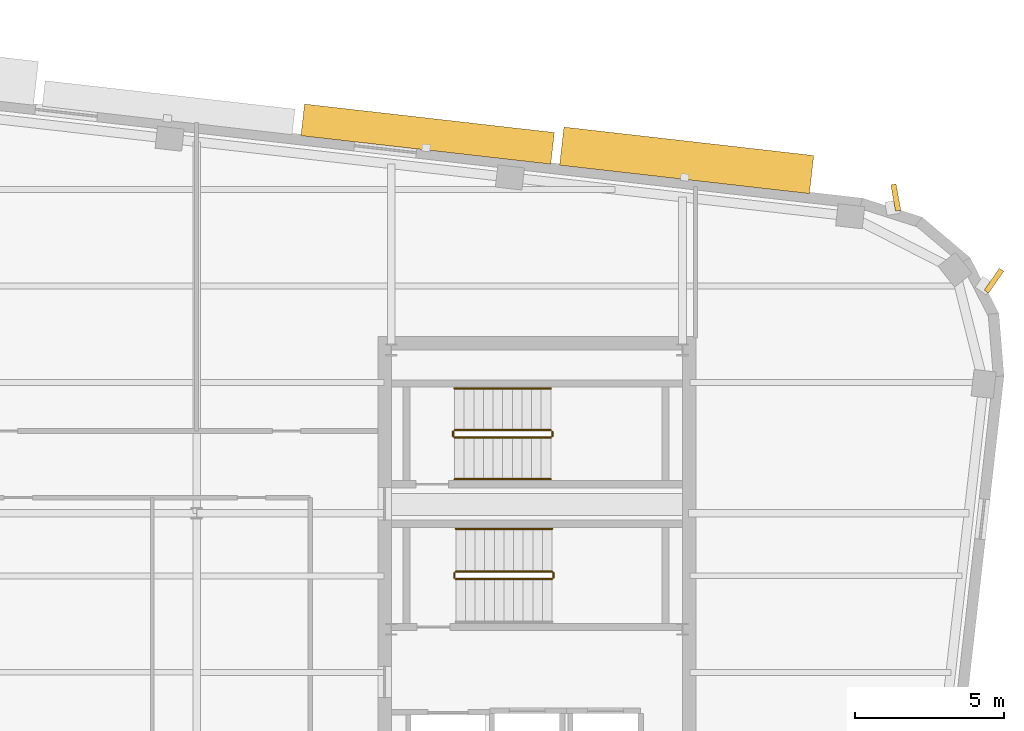
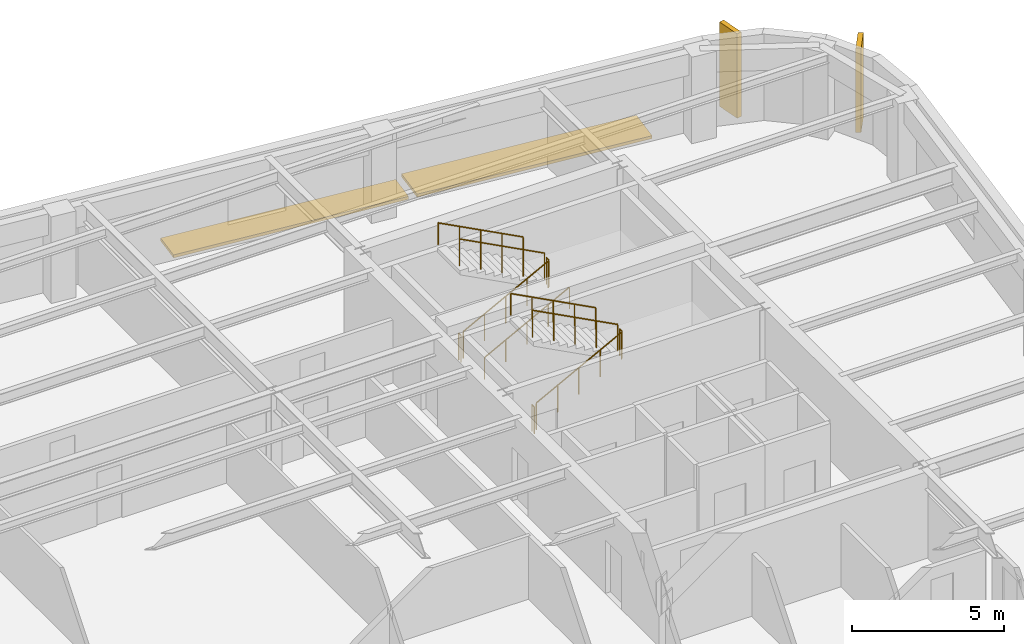
# One storey, part 13 of 14: 11 railings, 4 shading devices.
"""IFC4 building model written with IfcOpenShell, lengths in metres."""

from ifc_helpers import new_model, si_unit, direction, frame, origin, origin_2d, place, context, subcontext, project, spatial, rectangle, circle, extrude, material, type_object, element, save


model = new_model("IFC4")

# Units and contexts
model_context = context("Model", 3, precision=1e-05, world=origin(), true_north=direction((0.0, 1.0)))
body_context = subcontext(model_context, "Body", "Model", "MODEL_VIEW")
ifc_project = project(units=[si_unit("LENGTHUNIT", "METRE"), si_unit("AREAUNIT", "SQUARE_METRE"), si_unit("VOLUMEUNIT", "CUBIC_METRE"), si_unit("PLANEANGLEUNIT", "RADIAN"), si_unit("MASSUNIT", "GRAM", prefix="KILO")], contexts=[model_context])

# Site, building, storey
site_placement = place(None, origin())
site = spatial("IfcSite", under=ifc_project, at=site_placement, CompositionType="ELEMENT")
building_placement = place(site_placement, origin())
building = spatial("IfcBuilding", under=site, at=building_placement, Name="Kolvaren Arena Tower", CompositionType="ELEMENT")
storey_placement = place(building_placement, frame((0.0, 0.0, 247.199951171875)))
storey = spatial("IfcBuildingStorey", under=building, at=storey_placement, Name="L60", CompositionType="ELEMENT", Elevation=247.199951171875)

# Railings
ifc_material_1 = material(Name="Painted galvanized steel", Category="steel")
railing_type_1 = type_object("IfcRailingType", Name="GUARD-ST-110", PredefinedType="GUARDRAIL", material=ifc_material_1)
railing_1_placement = place(storey_placement, frame((52.719970703125, 31.639892578125, 0.17041015625)))
element("IfcRailing", 1, at=railing_1_placement, inside=storey, type_object=railing_type_1, Name="L60 ST-E1 stair guard 1", PredefinedType="GUARDRAIL", context=body_context, shape_type="SweptSolid", body=[
    extrude(circle(Radius=0.02392578125, at=origin_2d()), frame((0.0, 0.0, 1.076171875), z_axis=(0.884993431791, 0.0, 0.465603506952), x_axis=(0.0, 1.0, 0.0)), (0.0, 0.0, 1.0), 3.6611328125),
    extrude(circle(Radius=0.02099609375, at=origin_2d()), origin(), (0.0, 0.0, 1.0), 1.052001953125),
    extrude(circle(Radius=0.02099609375, at=origin_2d()), frame((0.81005859375, 0.0, 0.42626953125)), (0.0, 0.0, 1.0), 1.052001953125),
    extrude(circle(Radius=0.02099609375, at=origin_2d()), frame((1.6201171875, 0.0, 0.852294921875)), (0.0, 0.0, 1.0), 1.052001953125),
    extrude(circle(Radius=0.02099609375, at=origin_2d()), frame((2.429931640625, 0.0, 1.2783203125)), (0.0, 0.0, 1.0), 1.052001953125),
    extrude(circle(Radius=0.02099609375, at=origin_2d()), frame((3.239990234375, 0.0, 1.70458984375)), (0.0, 0.0, 1.0), 1.052001953125),
])
railing_2_placement = place(storey_placement, frame((56.010009765625, 31.68994140625, 1.875)))
element("IfcRailing", 2, at=railing_2_placement, inside=storey, type_object=railing_type_1, Name="L60 ST-E1 stair guard 2", PredefinedType="GUARDRAIL", context=body_context, shape_type="SweptSolid", body=[
    extrude(circle(Radius=0.02392578125, at=origin_2d()), frame((0.0, 0.0, 1.076171875), z_axis=(0.0, 1.0, 0.0), x_axis=(-1.0, 0.0, 0.0)), (0.0, 0.0, 1.0), 0.150146484375),
    extrude(circle(Radius=0.02099609375, at=origin_2d()), origin(), (0.0, 0.0, 1.0), 1.052001953125),
    extrude(circle(Radius=0.02099609375, at=origin_2d()), frame((0.0, 0.150146484375, 0.0)), (0.0, 0.0, 1.0), 1.052001953125),
])
railing_3_placement = place(storey_placement, frame((55.9599609375, 31.889892578125, 2.04541015625)))
element("IfcRailing", 3, at=railing_3_placement, inside=storey, type_object=railing_type_1, Name="L60 ST-E1 stair guard 3", PredefinedType="GUARDRAIL", context=body_context, shape_type="SweptSolid", body=[
    extrude(circle(Radius=0.02392578125, at=origin_2d()), frame((0.0, 0.0, 1.076171875), z_axis=(-0.884993431791, 0.0, 0.465603506952), x_axis=(0.0, -1.0, 0.0)), (0.0, 0.0, 1.0), 3.6611328125),
    extrude(circle(Radius=0.02099609375, at=origin_2d()), origin(), (0.0, 0.0, 1.0), 1.052001953125),
    extrude(circle(Radius=0.02099609375, at=origin_2d()), frame((-0.81005859375, 0.0, 0.42626953125)), (0.0, 0.0, 1.0), 1.052001953125),
    extrude(circle(Radius=0.02099609375, at=origin_2d()), frame((-1.6201171875, 0.0, 0.852294921875)), (0.0, 0.0, 1.0), 1.052001953125),
    extrude(circle(Radius=0.02099609375, at=origin_2d()), frame((-2.429931640625, 0.0, 1.2783203125)), (0.0, 0.0, 1.0), 1.052001953125),
    extrude(circle(Radius=0.02099609375, at=origin_2d()), frame((-3.239990234375, 0.0, 1.70458984375)), (0.0, 0.0, 1.0), 1.052001953125),
])
railing_4_placement = place(storey_placement, frame((52.669921875, 31.68994140625, 0.0)))
element("IfcRailing", 4, at=railing_4_placement, inside=storey, type_object=railing_type_1, Name="L60 ST-E1 stair guard 4", PredefinedType="GUARDRAIL", context=body_context, shape_type="SweptSolid", body=[
    extrude(circle(Radius=0.02392578125, at=origin_2d()), frame((0.0, 0.0, 1.076171875), z_axis=(0.0, 1.0, 0.0), x_axis=(-1.0, 0.0, 0.0)), (0.0, 0.0, 1.0), 0.150146484375),
    extrude(circle(Radius=0.02099609375, at=origin_2d()), origin(), (0.0, 0.0, 1.0), 1.052001953125),
    extrude(circle(Radius=0.02099609375, at=origin_2d()), frame((0.0, 0.150146484375, 0.0)), (0.0, 0.0, 1.0), 1.052001953125),
])
railing_5_placement = place(storey_placement, frame((52.679931640625, 36.39990234375, 0.17041015625)))
element("IfcRailing", 5, at=railing_5_placement, inside=storey, type_object=railing_type_1, Name="L60 ST-E2 stair guard 1", PredefinedType="GUARDRAIL", context=body_context, shape_type="SweptSolid", body=[
    extrude(circle(Radius=0.02392578125, at=origin_2d()), frame((0.0, 0.0, 1.076171875), z_axis=(0.884993431791, 0.0, 0.465603506952), x_axis=(0.0, 1.0, 0.0)), (0.0, 0.0, 1.0), 3.6611328125),
    extrude(circle(Radius=0.02099609375, at=origin_2d()), origin(), (0.0, 0.0, 1.0), 1.052001953125),
    extrude(circle(Radius=0.02099609375, at=origin_2d()), frame((0.81005859375, 0.0, 0.42626953125)), (0.0, 0.0, 1.0), 1.052001953125),
    extrude(circle(Radius=0.02099609375, at=origin_2d()), frame((1.6201171875, 0.0, 0.852294921875)), (0.0, 0.0, 1.0), 1.052001953125),
    extrude(circle(Radius=0.02099609375, at=origin_2d()), frame((2.429931640625, 0.0, 1.2783203125)), (0.0, 0.0, 1.0), 1.052001953125),
    extrude(circle(Radius=0.02099609375, at=origin_2d()), frame((3.239990234375, 0.0, 1.70458984375)), (0.0, 0.0, 1.0), 1.052001953125),
])
railing_6_placement = place(storey_placement, frame((55.969970703125, 36.449951171875, 1.875)))
element("IfcRailing", 6, at=railing_6_placement, inside=storey, type_object=railing_type_1, Name="L60 ST-E2 stair guard 2", PredefinedType="GUARDRAIL", context=body_context, shape_type="SweptSolid", body=[
    extrude(circle(Radius=0.02392578125, at=origin_2d()), frame((0.0, 0.0, 1.076171875), z_axis=(0.0, 1.0, 0.0), x_axis=(-1.0, 0.0, 0.0)), (0.0, 0.0, 1.0), 0.150146484375),
    extrude(circle(Radius=0.02099609375, at=origin_2d()), origin(), (0.0, 0.0, 1.0), 1.052001953125),
    extrude(circle(Radius=0.02099609375, at=origin_2d()), frame((0.0, 0.150146484375, 0.0)), (0.0, 0.0, 1.0), 1.052001953125),
])
railing_7_placement = place(storey_placement, frame((55.919921875, 36.64990234375, 2.04541015625)))
element("IfcRailing", 7, at=railing_7_placement, inside=storey, type_object=railing_type_1, Name="L60 ST-E2 stair guard 3", PredefinedType="GUARDRAIL", context=body_context, shape_type="SweptSolid", body=[
    extrude(circle(Radius=0.02392578125, at=origin_2d()), frame((0.0, 0.0, 1.076171875), z_axis=(-0.884993431791, 0.0, 0.465603506952), x_axis=(0.0, -1.0, 0.0)), (0.0, 0.0, 1.0), 3.6611328125),
    extrude(circle(Radius=0.02099609375, at=origin_2d()), origin(), (0.0, 0.0, 1.0), 1.052001953125),
    extrude(circle(Radius=0.02099609375, at=origin_2d()), frame((-0.81005859375, 0.0, 0.42626953125)), (0.0, 0.0, 1.0), 1.052001953125),
    extrude(circle(Radius=0.02099609375, at=origin_2d()), frame((-1.6201171875, 0.0, 0.852294921875)), (0.0, 0.0, 1.0), 1.052001953125),
    extrude(circle(Radius=0.02099609375, at=origin_2d()), frame((-2.429931640625, 0.0, 1.2783203125)), (0.0, 0.0, 1.0), 1.052001953125),
    extrude(circle(Radius=0.02099609375, at=origin_2d()), frame((-3.239990234375, 0.0, 1.70458984375)), (0.0, 0.0, 1.0), 1.052001953125),
])
railing_8_placement = place(storey_placement, frame((52.6298828125, 36.449951171875, 0.0)))
element("IfcRailing", 8, at=railing_8_placement, inside=storey, type_object=railing_type_1, Name="L60 ST-E2 stair guard 4", PredefinedType="GUARDRAIL", context=body_context, shape_type="SweptSolid", body=[
    extrude(circle(Radius=0.02392578125, at=origin_2d()), frame((0.0, 0.0, 1.076171875), z_axis=(0.0, 1.0, 0.0), x_axis=(-1.0, 0.0, 0.0)), (0.0, 0.0, 1.0), 0.150146484375),
    extrude(circle(Radius=0.02099609375, at=origin_2d()), origin(), (0.0, 0.0, 1.0), 1.052001953125),
    extrude(circle(Radius=0.02099609375, at=origin_2d()), frame((0.0, 0.150146484375, 0.0)), (0.0, 0.0, 1.0), 1.052001953125),
])
ifc_material_2 = material(Name="Brushed stainless steel handrail", Category="steel")
railing_type_2 = type_object("IfcRailingType", Name="HRAIL-900", PredefinedType="HANDRAIL", material=ifc_material_2)
railing_9_placement = place(storey_placement, frame((55.9599609375, 33.330078125, 2.04541015625)))
element("IfcRailing", 9, at=railing_9_placement, inside=storey, type_object=railing_type_2, Name="L60 ST-E1 stair handrail 2", PredefinedType="HANDRAIL", context=body_context, shape_type="SweptSolid", body=[
    extrude(circle(Radius=0.02392578125, at=origin_2d()), frame((0.0, 0.0, 0.8759765625), z_axis=(-0.884993431791, 0.0, 0.465603506952), x_axis=(0.0, -1.0, 0.0)), (0.0, 0.0, 1.0), 3.6611328125),
    extrude(circle(Radius=0.02099609375, at=origin_2d()), origin(), (0.0, 0.0, 1.0), 0.851806640625),
    extrude(circle(Radius=0.02099609375, at=origin_2d()), frame((-0.81005859375, 0.0, 0.42626953125)), (0.0, 0.0, 1.0), 0.851806640625),
    extrude(circle(Radius=0.02099609375, at=origin_2d()), frame((-1.6201171875, 0.0, 0.852294921875)), (0.0, 0.0, 1.0), 0.851806640625),
    extrude(circle(Radius=0.02099609375, at=origin_2d()), frame((-2.429931640625, 0.0, 1.2783203125)), (0.0, 0.0, 1.0), 0.851806640625),
    extrude(circle(Radius=0.02099609375, at=origin_2d()), frame((-3.239990234375, 0.0, 1.70458984375)), (0.0, 0.0, 1.0), 0.851806640625),
])
railing_10_placement = place(storey_placement, frame((52.679931640625, 35.0, 0.17041015625)))
element("IfcRailing", 10, at=railing_10_placement, inside=storey, type_object=railing_type_2, Name="L60 ST-E2 stair handrail 1", PredefinedType="HANDRAIL", context=body_context, shape_type="SweptSolid", body=[
    extrude(circle(Radius=0.02392578125, at=origin_2d()), frame((0.0, 0.0, 0.8759765625), z_axis=(0.884993431791, 0.0, 0.465603506952), x_axis=(0.0, 1.0, 0.0)), (0.0, 0.0, 1.0), 3.6611328125),
    extrude(circle(Radius=0.02099609375, at=origin_2d()), origin(), (0.0, 0.0, 1.0), 0.851806640625),
    extrude(circle(Radius=0.02099609375, at=origin_2d()), frame((0.81005859375, 0.0, 0.42626953125)), (0.0, 0.0, 1.0), 0.851806640625),
    extrude(circle(Radius=0.02099609375, at=origin_2d()), frame((1.6201171875, 0.0, 0.852294921875)), (0.0, 0.0, 1.0), 0.851806640625),
    extrude(circle(Radius=0.02099609375, at=origin_2d()), frame((2.429931640625, 0.0, 1.2783203125)), (0.0, 0.0, 1.0), 0.851806640625),
    extrude(circle(Radius=0.02099609375, at=origin_2d()), frame((3.239990234375, 0.0, 1.70458984375)), (0.0, 0.0, 1.0), 0.851806640625),
])
railing_11_placement = place(storey_placement, frame((55.919921875, 38.050048828125, 2.04541015625)))
element("IfcRailing", 11, at=railing_11_placement, inside=storey, type_object=railing_type_2, Name="L60 ST-E2 stair handrail 2", PredefinedType="HANDRAIL", context=body_context, shape_type="SweptSolid", body=[
    extrude(circle(Radius=0.02392578125, at=origin_2d()), frame((0.0, 0.0, 0.8759765625), z_axis=(-0.884993431791, 0.0, 0.465603506952), x_axis=(0.0, -1.0, 0.0)), (0.0, 0.0, 1.0), 3.6611328125),
    extrude(circle(Radius=0.02099609375, at=origin_2d()), origin(), (0.0, 0.0, 1.0), 0.851806640625),
    extrude(circle(Radius=0.02099609375, at=origin_2d()), frame((-0.81005859375, 0.0, 0.42626953125)), (0.0, 0.0, 1.0), 0.851806640625),
    extrude(circle(Radius=0.02099609375, at=origin_2d()), frame((-1.6201171875, 0.0, 0.852294921875)), (0.0, 0.0, 1.0), 0.851806640625),
    extrude(circle(Radius=0.02099609375, at=origin_2d()), frame((-2.429931640625, 0.0, 1.2783203125)), (0.0, 0.0, 1.0), 0.851806640625),
    extrude(circle(Radius=0.02099609375, at=origin_2d()), frame((-3.239990234375, 0.0, 1.70458984375)), (0.0, 0.0, 1.0), 0.851806640625),
])

# Shading devices
ifc_material_3 = material(Name="Precast architectural concrete C50/60 rib fin", Category="concrete")
shading_device_type_1 = type_object("IfcShadingDeviceType", Name="SHAD-FIN-28", PredefinedType="USERDEFINED", material=ifc_material_3)
for number, where, z_axis, x_axis, name in (
    (12, (70.830810546875, 41.679931640625, 0.02001953125), (0.0, 0.0, 1.0), (0.569965213199, 0.821668823641, 0.0), "Precast 28-Deg Corner Rib Fin (L60)"),
    (13, (67.526611328125, 44.47705078125, 0.02001953125), (0.0, 0.0, 1.0), (-0.177965872603, 0.984036659982, 0.0), "Precast 28-Deg Corner Rib Fin (L60)"),
):
    element("IfcShadingDevice", number, at=place(storey_placement, frame(where, z_axis=z_axis, x_axis=x_axis)), inside=storey, type_object=shading_device_type_1, Name=name, ObjectType="FIN", PredefinedType="USERDEFINED", context=body_context, shape_type="SweptSolid", body=[
        extrude(rectangle(XDim=0.89990234375, YDim=0.179931640625, at=origin_2d()), origin(), (0.0, 0.0, 1.0), 3.39990234375),
    ])
ifc_material_4 = material(Name="Architectural precast GFRC and anodised aluminium sunshade", Category="concrete")
shading_device_type_2 = type_object("IfcShadingDeviceType", Name="SHAD-SINE-A", PredefinedType="USERDEFINED", material=ifc_material_4)
shading_device_1_placement = place(storey_placement, frame((51.773681640625, 46.61279296875, -0.139892578125), z_axis=(0.0, 0.0, 1.0), x_axis=(0.993571658098, -0.113204947878, 0.0)))
element("IfcShadingDevice", 14, at=shading_device_1_placement, inside=storey, type_object=shading_device_type_2, Name="Sinusoidal Slab-Edge Sunshade Louvre (L60)", ObjectType="LOUVRE", PredefinedType="USERDEFINED", context=body_context, shape_type="SweptSolid", body=[
    extrude(rectangle(XDim=8.4599609375, YDim=1.072265625, at=origin_2d()), origin(), (0.0, 0.0, 1.0), 0.1201171875),
])
shading_device_type_3 = type_object("IfcShadingDeviceType", Name="SHAD-SINE-B", PredefinedType="JALOUSIE", material=ifc_material_4)
shading_device_2_placement = place(storey_placement, frame((60.48974609375, 45.7294921875, -0.139892578125), z_axis=(0.0, 0.0, 1.0), x_axis=(0.993571658098, -0.113204947878, 0.0)))
element("IfcShadingDevice", 15, at=shading_device_2_placement, inside=storey, type_object=shading_device_type_3, Name="Sinusoidal Slab-Edge Sunshade Louvre (L60)", PredefinedType="JALOUSIE", context=body_context, shape_type="SweptSolid", body=[
    extrude(rectangle(XDim=8.4599609375, YDim=1.291015625, at=origin_2d()), origin(), (0.0, 0.0, 1.0), 0.1201171875),
])

save(model, "model.ifc")
